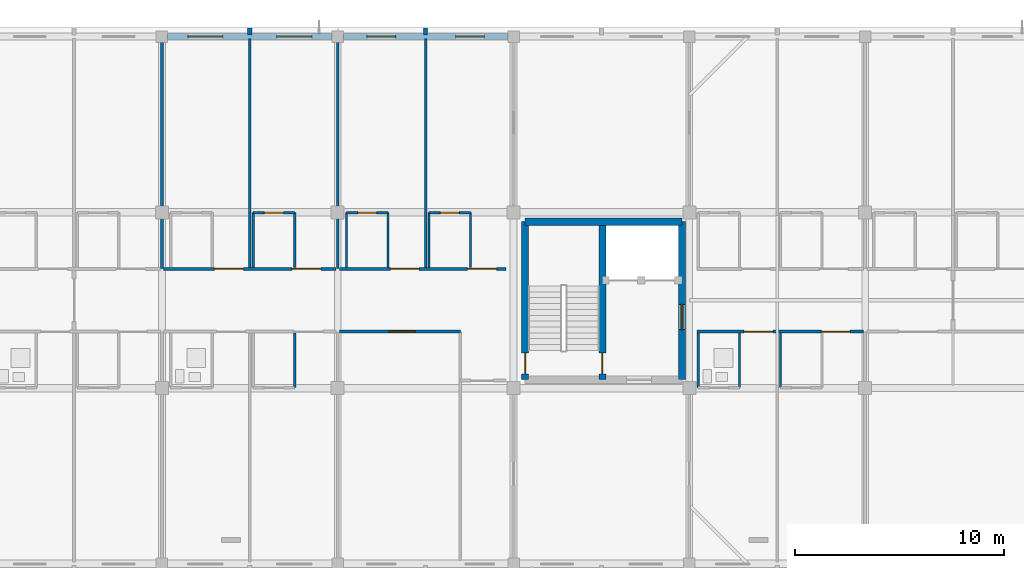
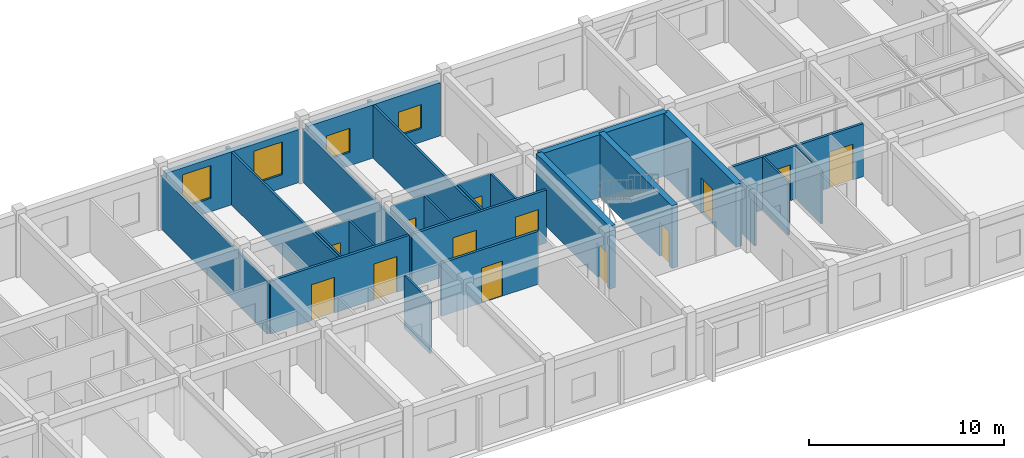
# One storey, part 10 of 21: 29 walls, 13 doors, 4 windows, 17 openings.
"""IFC4 building model written with IfcOpenShell, lengths in metres."""

from ifc_helpers import new_model, si_unit, direction, frame, frame_2d, origin, place, context, subcontext, project, spatial, rectangle, extrude, material, layer, layer_set, type_object, element, fill, save


model = new_model("IFC4")

# Units and contexts
model_context = context("Model", 3, precision=1e-05, world=origin(), true_north=direction((0.0, 1.0)))
body_context = subcontext(model_context, "Body", "Model", "MODEL_VIEW")
ifc_project = project(units=[si_unit("LENGTHUNIT", "METRE"), si_unit("AREAUNIT", "SQUARE_METRE"), si_unit("VOLUMEUNIT", "CUBIC_METRE"), si_unit("PLANEANGLEUNIT", "RADIAN"), si_unit("MASSUNIT", "GRAM", prefix="KILO")], contexts=[model_context])

# Site, building, storey
site_placement = place(None, origin())
site = spatial("IfcSite", under=ifc_project, at=site_placement, CompositionType="ELEMENT")
building_placement = place(site_placement, origin())
building = spatial("IfcBuilding", under=site, at=building_placement, Name="Trelvath General Hospital", CompositionType="ELEMENT")
storey_placement = place(building_placement, frame((0.0, 0.0, 28.800048828125)))
storey = spatial("IfcBuildingStorey", under=building, at=storey_placement, Name="L07", CompositionType="ELEMENT", Elevation=28.800048828125)

# Walls
ifc_material_1 = material(Name="Precast concrete C40/50", Category="concrete")
ifc_layer_1 = layer(ifc_material_1, 0.199951171875)
ifc_layer_set_1 = layer_set([ifc_layer_1], Name="Precast concrete C40/50")
wall_type_1 = type_object("IfcWallType", Name="BriseSoleilRib 200", PredefinedType="ELEMENTEDWALL", material=ifc_layer_set_1)
for number, where, z_axis, x_axis, name in (
    (1, (71.39990234375, 117.675048828125, 0.0), (0.0, 0.0, 1.0), (0.0, 1.0, 0.0), "Precast Concrete Brise-Soleil Rib Fin L07-471"),
    (2, (79.800048828125, 117.675048828125, 0.0), (0.0, 0.0, 1.0), (0.0, 1.0, 0.0), "Precast Concrete Brise-Soleil Rib Fin L07-473"),
):
    element("IfcWall", number, at=place(storey_placement, frame(where, z_axis=z_axis, x_axis=x_axis)), inside=storey, type_object=wall_type_1, Name=name, PredefinedType="ELEMENTEDWALL", context=body_context, shape_type="SweptSolid", body=[
        extrude(rectangle(XDim=0.33984375, YDim=0.199951171875, at=frame_2d((0.169921875, 0.0))), origin(), (0.0, 0.0, 1.0), 3.320068359375),
    ])

# Wall, openings, doors
ifc_material_2 = material(Name="Gypsum acoustic steel-stud partition", Category="steel")
ifc_layer_2 = layer(ifc_material_2, 0.14990234375)
ifc_layer_set_2 = layer_set([ifc_layer_2], Name="Gypsum acoustic steel-stud partition")
wall_type_2 = type_object("IfcWallType", Name="ClinicalPartition 150", PredefinedType="PARTITIONING", material=ifc_layer_set_2)
wall_1_placement = place(storey_placement, frame((75.52001953125, 106.5, 0.0), z_axis=(0.0, 0.0, 1.0), x_axis=(-1.0, 0.0, 0.0)))
wall_1 = element("IfcWall", 3, at=wall_1_placement, inside=storey, type_object=wall_type_2, Name="Corridor Partition N L07-2384", PredefinedType="PARTITIONING", context=body_context, shape_type="SweptSolid", body=[
    extrude(rectangle(XDim=8.239990234375, YDim=0.14990234375, at=frame_2d((4.1201171875, 0.0))), origin(), (0.0, 0.0, 1.0), 3.320068359375),
])
opening_1_placement = place(wall_1_placement, frame((0.72998046875, 0.0, 0.0)))
opening_1 = element("IfcOpeningElement", 4, at=opening_1_placement, cuts=wall_1, Name="Opening D-7-1486", PredefinedType="OPENING", context=body_context, shape_type="SweptSolid", body=[
    extrude(rectangle(XDim=1.3798828125, YDim=2.25, at=frame_2d((0.68994140625, 1.125))), frame((0.0, 0.0849609375, 0.0), z_axis=(0.0, -1.0, 0.0), x_axis=(1.0, 0.0, 0.0)), (0.0, 0.0, 1.0), 0.169921875),
])
opening_2_placement = place(wall_1_placement, frame((4.429931640625, 0.0, 0.0)))
opening_2 = element("IfcOpeningElement", 5, at=opening_2_placement, cuts=wall_1, Name="Opening D-7-1487", PredefinedType="OPENING", context=body_context, shape_type="SweptSolid", body=[
    extrude(rectangle(XDim=1.3798828125, YDim=2.25, at=frame_2d((0.68994140625, 1.125))), frame((0.0, 0.0849609375, 0.0), z_axis=(0.0, -1.0, 0.0), x_axis=(1.0, 0.0, 0.0)), (0.0, 0.0, 1.0), 0.169921875),
])
ifc_material_3 = material(Name="Wheelchair rehab ward door")
door_type_1 = type_object("IfcDoorType", Name="Door PatientRehab 1380x2250", OperationType="NOTDEFINED", PredefinedType="DOOR", material=ifc_material_3)
door_1_placement = place(opening_1_placement, origin())
door_1 = element("IfcDoor", 6, at=door_1_placement, inside=storey, type_object=door_type_1, Name="Patient Room Door N L07-1486", OperationType="SINGLE_SWING_RIGHT", OverallHeight=2.25, OverallWidth=1.3798828125, PredefinedType="DOOR", context=body_context, shape_type="SweptSolid", body=[
    extrude(rectangle(XDim=1.3798828125, YDim=2.25, at=frame_2d((0.68994140625, 1.125))), frame((0.0, 0.02490234375, 0.0), z_axis=(0.0, -1.0, 0.0), x_axis=(1.0, 0.0, 0.0)), (0.0, 0.0, 1.0), 0.050048828125),
])
fill(opening_1, door_1)
door_2_placement = place(opening_2_placement, origin())
door_2 = element("IfcDoor", 7, at=door_2_placement, inside=storey, type_object=door_type_1, Name="Patient Room Door N L07-1487", OperationType="SINGLE_SWING_RIGHT", OverallHeight=2.25, OverallWidth=1.3798828125, PredefinedType="DOOR", context=body_context, shape_type="SweptSolid", body=[
    extrude(rectangle(XDim=1.3798828125, YDim=2.25, at=frame_2d((0.68994140625, 1.125))), frame((0.0, 0.02490234375, 0.0), z_axis=(0.0, -1.0, 0.0), x_axis=(1.0, 0.0, 0.0)), (0.0, 0.0, 1.0), 0.050048828125),
])
fill(opening_2, door_2)

# Wall, opening, door
wall_2_placement = place(storey_placement, frame((75.679931640625, 103.5, 0.0), z_axis=(0.0, 0.0, 1.0), x_axis=(1.0, 0.0, 0.0)))
wall_2 = element("IfcWall", 8, at=wall_2_placement, inside=storey, type_object=wall_type_2, Name="Nurse Station Partition L07-2394", PredefinedType="PARTITIONING", context=body_context, shape_type="SweptSolid", body=[
    extrude(rectangle(XDim=5.780029296875, YDim=0.14990234375, at=frame_2d((2.89013671875, 0.0))), origin(), (0.0, 0.0, 1.0), 3.320068359375),
])
opening_3_placement = place(wall_2_placement, frame((2.3798828125, 0.0, 0.0)))
opening_3 = element("IfcOpeningElement", 9, at=opening_3_placement, cuts=wall_2, Name="Opening D-7-1490", PredefinedType="OPENING", context=body_context, shape_type="SweptSolid", body=[
    extrude(rectangle(XDim=1.25, YDim=2.199951171875, at=frame_2d((0.625, 1.10009765625))), frame((0.0, 0.0849609375, 0.0), z_axis=(0.0, -1.0, 0.0), x_axis=(1.0, 0.0, 0.0)), (0.0, 0.0, 1.0), 0.169921875),
])
ifc_material_4 = material(Name="Acoustic hospital timber leaf", Category="wood")
door_type_2 = type_object("IfcDoorType", Name="Door Treatment 1250x2200", OperationType="NOTDEFINED", PredefinedType="DOOR", material=ifc_material_4)
door_3_placement = place(opening_3_placement, origin())
door_3 = element("IfcDoor", 10, at=door_3_placement, inside=storey, type_object=door_type_2, Name="Nurse Station Door L07-1490", OperationType="SINGLE_SWING_LEFT", OverallHeight=2.199951171875, OverallWidth=1.25, PredefinedType="DOOR", context=body_context, shape_type="SweptSolid", body=[
    extrude(rectangle(XDim=1.25, YDim=2.199951171875, at=frame_2d((0.625, 1.10009765625))), frame((0.0, 0.02490234375, 0.0), z_axis=(0.0, -1.0, 0.0), x_axis=(1.0, 0.0, 0.0)), (0.0, 0.0, 1.0), 0.050048828125),
])
fill(opening_3, door_3)

# Wall, openings, doors
wall_3_placement = place(storey_placement, frame((83.639892578125, 106.5, 0.0), z_axis=(0.0, 0.0, 1.0), x_axis=(-1.0, 0.0, 0.0)))
wall_3 = element("IfcWall", 11, at=wall_3_placement, inside=storey, type_object=wall_type_2, Name="Corridor Partition N L07-2397", PredefinedType="PARTITIONING", context=body_context, shape_type="SweptSolid", body=[
    extrude(rectangle(XDim=7.9599609375, YDim=0.14990234375, at=frame_2d((3.97998046875, 0.0))), origin(), (0.0, 0.0, 1.0), 3.320068359375),
])
opening_4_placement = place(wall_3_placement, frame((0.449951171875, 0.0, 0.0)))
opening_4 = element("IfcOpeningElement", 12, at=opening_4_placement, cuts=wall_3, Name="Opening D-7-1492", PredefinedType="OPENING", context=body_context, shape_type="SweptSolid", body=[
    extrude(rectangle(XDim=1.3798828125, YDim=2.25, at=frame_2d((0.68994140625, 1.125))), frame((0.0, 0.0849609375, 0.0), z_axis=(0.0, -1.0, 0.0), x_axis=(1.0, 0.0, 0.0)), (0.0, 0.0, 1.0), 0.169921875),
])
opening_5_placement = place(wall_3_placement, frame((4.14990234375, 0.0, 0.0)))
opening_5 = element("IfcOpeningElement", 13, at=opening_5_placement, cuts=wall_3, Name="Opening D-7-1493", PredefinedType="OPENING", context=body_context, shape_type="SweptSolid", body=[
    extrude(rectangle(XDim=1.3798828125, YDim=2.25, at=frame_2d((0.68994140625, 1.125))), frame((0.0, 0.0849609375, 0.0), z_axis=(0.0, -1.0, 0.0), x_axis=(1.0, 0.0, 0.0)), (0.0, 0.0, 1.0), 0.169921875),
])
door_4_placement = place(opening_4_placement, origin())
door_4 = element("IfcDoor", 14, at=door_4_placement, inside=storey, type_object=door_type_1, Name="Patient Room Door N L07-1492", OperationType="SINGLE_SWING_LEFT", OverallHeight=2.25, OverallWidth=1.3798828125, PredefinedType="DOOR", context=body_context, shape_type="SweptSolid", body=[
    extrude(rectangle(XDim=1.3798828125, YDim=2.25, at=frame_2d((0.68994140625, 1.125))), frame((0.0, 0.02490234375, 0.0), z_axis=(0.0, -1.0, 0.0), x_axis=(1.0, 0.0, 0.0)), (0.0, 0.0, 1.0), 0.050048828125),
])
fill(opening_4, door_4)
door_5_placement = place(opening_5_placement, origin())
door_5 = element("IfcDoor", 15, at=door_5_placement, inside=storey, type_object=door_type_1, Name="Patient Room Door N L07-1493", OperationType="SINGLE_SWING_LEFT", OverallHeight=2.25, OverallWidth=1.3798828125, PredefinedType="DOOR", context=body_context, shape_type="SweptSolid", body=[
    extrude(rectangle(XDim=1.3798828125, YDim=2.25, at=frame_2d((0.68994140625, 1.125))), frame((0.0, 0.02490234375, 0.0), z_axis=(0.0, -1.0, 0.0), x_axis=(1.0, 0.0, 0.0)), (0.0, 0.0, 1.0), 0.050048828125),
])
fill(opening_5, door_5)

wall_4_placement = place(storey_placement, frame((92.760009765625, 103.5, 0.0), z_axis=(0.0, 0.0, 1.0), x_axis=(1.0, 0.0, 0.0)))
wall_4 = element("IfcWall", 16, at=wall_4_placement, inside=storey, type_object=wall_type_2, Name="Corridor Partition L07-2409", PredefinedType="PARTITIONING", context=body_context, shape_type="SweptSolid", body=[
    extrude(rectangle(XDim=7.9599609375, YDim=0.14990234375, at=frame_2d((3.97998046875, 0.0))), origin(), (0.0, 0.0, 1.0), 3.320068359375),
])
opening_6_placement = place(wall_4_placement, frame((2.25, 0.0, 0.0)))
opening_6 = element("IfcOpeningElement", 17, at=opening_6_placement, cuts=wall_4, Name="Opening D-7-1500", PredefinedType="OPENING", context=body_context, shape_type="SweptSolid", body=[
    extrude(rectangle(XDim=1.3798828125, YDim=2.25, at=frame_2d((0.68994140625, 1.125))), frame((0.0, 0.0849609375, 0.0), z_axis=(0.0, -1.0, 0.0), x_axis=(1.0, 0.0, 0.0)), (0.0, 0.0, 1.0), 0.169921875),
])
opening_7_placement = place(wall_4_placement, frame((5.949951171875, 0.0, 0.0)))
opening_7 = element("IfcOpeningElement", 18, at=opening_7_placement, cuts=wall_4, Name="Opening D-7-1501", PredefinedType="OPENING", context=body_context, shape_type="SweptSolid", body=[
    extrude(rectangle(XDim=1.3798828125, YDim=2.25, at=frame_2d((0.68994140625, 1.125))), frame((0.0, 0.0849609375, 0.0), z_axis=(0.0, -1.0, 0.0), x_axis=(1.0, 0.0, 0.0)), (0.0, 0.0, 1.0), 0.169921875),
])
door_6_placement = place(opening_6_placement, origin())
door_6 = element("IfcDoor", 19, at=door_6_placement, inside=storey, type_object=door_type_1, Name="Patient Room Door L07-1500", OperationType="SINGLE_SWING_RIGHT", OverallHeight=2.25, OverallWidth=1.3798828125, PredefinedType="DOOR", context=body_context, shape_type="SweptSolid", body=[
    extrude(rectangle(XDim=1.3798828125, YDim=2.25, at=frame_2d((0.68994140625, 1.125))), frame((0.0, 0.02490234375, 0.0), z_axis=(0.0, -1.0, 0.0), x_axis=(1.0, 0.0, 0.0)), (0.0, 0.0, 1.0), 0.050048828125),
])
fill(opening_6, door_6)
door_7_placement = place(opening_7_placement, origin())
door_7 = element("IfcDoor", 20, at=door_7_placement, inside=storey, type_object=door_type_1, Name="Patient Room Door L07-1501", OperationType="SINGLE_SWING_LEFT", OverallHeight=2.25, OverallWidth=1.3798828125, PredefinedType="DOOR", context=body_context, shape_type="SweptSolid", body=[
    extrude(rectangle(XDim=1.3798828125, YDim=2.25, at=frame_2d((0.68994140625, 1.125))), frame((0.0, 0.02490234375, 0.0), z_axis=(0.0, -1.0, 0.0), x_axis=(1.0, 0.0, 0.0)), (0.0, 0.0, 1.0), 0.050048828125),
])
fill(opening_7, door_7)

# Wall
ifc_material_5 = material(Name="Concrete C40/50", Category="concrete")
ifc_layer_3 = layer(ifc_material_5, 0.35009765625)
ifc_layer_set_3 = layer_set([ifc_layer_3], Name="Concrete C40/50")
wall_type_3 = type_object("IfcWallType", Name="CoreShearWall 350", PredefinedType="SHEAR", material=ifc_layer_set_3)
wall_5_placement = place(storey_placement, frame((84.550048828125, 108.75, 0.0), z_axis=(0.0, 0.0, 1.0), x_axis=(1.0, 0.0, 0.0)))
element("IfcWall", 21, at=wall_5_placement, inside=storey, type_object=wall_type_3, Name="Core Shear Wall C2 N L07", PredefinedType="SHEAR", context=body_context, shape_type="SweptSolid", body=[
    extrude(rectangle(XDim=7.5, YDim=0.35009765625, at=frame_2d((3.75, 0.0))), origin(), (0.0, 0.0, 1.0), 3.93994140625),
])

# Wall, opening, door
wall_6_placement = place(storey_placement, frame((84.550048828125, 101.199951171875, 0.0), z_axis=(0.0, 0.0, 1.0), x_axis=(0.0, 1.0, 0.0)))
wall_6 = element("IfcWall", 22, at=wall_6_placement, inside=storey, type_object=wall_type_3, Name="Core Shear Wall C2 W L07", PredefinedType="SHEAR", context=body_context, shape_type="SweptSolid", body=[
    extrude(rectangle(XDim=7.550048828125, YDim=0.35009765625, at=frame_2d((3.77490234375, 0.0))), origin(), (0.0, 0.0, 1.0), 3.93994140625),
])
opening_8_placement = place(wall_6_placement, frame((0.280029296875, 0.0, 0.0)))
opening_8 = element("IfcOpeningElement", 23, at=opening_8_placement, cuts=wall_6, Name="Opening FD-SW27", PredefinedType="OPENING", context=body_context, shape_type="SweptSolid", body=[
    extrude(rectangle(XDim=1.0, YDim=2.14990234375, at=frame_2d((0.5, 1.074951171875))), frame((0.0, 0.18505859375, 0.0), z_axis=(0.0, -1.0, 0.0), x_axis=(1.0, 0.0, 0.0)), (0.0, 0.0, 1.0), 0.3701171875),
])
ifc_material_6 = material(Name="Fire-rated steel door", Category="steel")
door_type_3 = type_object("IfcDoorType", Name="Door FireStair 1100x2150", OperationType="NOTDEFINED", PredefinedType="DOOR", material=ifc_material_6)
door_8_placement = place(opening_8_placement, origin())
door_8 = element("IfcDoor", 24, at=door_8_placement, inside=storey, type_object=door_type_3, Name="West Corridor Stair Door ST2 L07", OperationType="SINGLE_SWING_LEFT", OverallHeight=2.14990234375, OverallWidth=1.0, PredefinedType="DOOR", context=body_context, shape_type="SweptSolid", body=[
    extrude(rectangle(XDim=1.0, YDim=2.14990234375, at=frame_2d((0.5, 1.074951171875))), frame((0.0, 0.02490234375, 0.0), z_axis=(0.0, -1.0, 0.0), x_axis=(1.0, 0.0, 0.0)), (0.0, 0.0, 1.0), 0.050048828125),
])
fill(opening_8, door_8)

wall_7_placement = place(storey_placement, frame((92.050048828125, 101.199951171875, 0.0), z_axis=(0.0, 0.0, 1.0), x_axis=(0.0, 1.0, 0.0)))
wall_7 = element("IfcWall", 25, at=wall_7_placement, inside=storey, type_object=wall_type_3, Name="Core Shear Wall C2 E L07", PredefinedType="SHEAR", context=body_context, shape_type="SweptSolid", body=[
    extrude(rectangle(XDim=7.550048828125, YDim=0.35009765625, at=frame_2d((3.77490234375, 0.0))), origin(), (0.0, 0.0, 1.0), 3.93994140625),
])
opening_9_placement = place(wall_7_placement, frame((2.39990234375, 0.0, 0.0)))
opening_9 = element("IfcOpeningElement", 26, at=opening_9_placement, cuts=wall_7, Name="Opening FD-LE27", PredefinedType="OPENING", context=body_context, shape_type="SweptSolid", body=[
    extrude(rectangle(XDim=1.199951171875, YDim=2.199951171875, at=frame_2d((0.60009765625, 1.10009765625))), frame((0.0, 0.18505859375, 0.0), z_axis=(0.0, -1.0, 0.0), x_axis=(1.0, 0.0, 0.0)), (0.0, 0.0, 1.0), 0.3701171875),
])
ifc_material_7 = material(Name="Fire-rated steel door", Category="steel")
door_type_4 = type_object("IfcDoorType", Name="Door FireLobby 1200x2200", OperationType="NOTDEFINED", PredefinedType="DOOR", material=ifc_material_7)
door_9_placement = place(opening_9_placement, origin())
door_9 = element("IfcDoor", 27, at=door_9_placement, inside=storey, type_object=door_type_4, Name="Fire Lobby East Corridor Door C2 L07", OperationType="SINGLE_SWING_LEFT", OverallHeight=2.199951171875, OverallWidth=1.199951171875, PredefinedType="DOOR", context=body_context, shape_type="SweptSolid", body=[
    extrude(rectangle(XDim=1.199951171875, YDim=2.199951171875, at=frame_2d((0.60009765625, 1.10009765625))), frame((0.0, 0.02490234375, 0.0), z_axis=(0.0, -1.0, 0.0), x_axis=(1.0, 0.0, 0.0)), (0.0, 0.0, 1.0), 0.050048828125),
])
fill(opening_9, door_9)

wall_8_placement = place(storey_placement, frame((88.25, 101.199951171875, 0.0), z_axis=(0.0, 0.0, 1.0), x_axis=(0.0, 1.0, 0.0)))
wall_8 = element("IfcWall", 28, at=wall_8_placement, inside=storey, type_object=wall_type_3, Name="Core Shear Wall C2 SPINE L07", PredefinedType="SHEAR", context=body_context, shape_type="SweptSolid", body=[
    extrude(rectangle(XDim=7.550048828125, YDim=0.35009765625, at=frame_2d((3.77490234375, 0.0))), origin(), (0.0, 0.0, 1.0), 3.93994140625),
])
opening_10_placement = place(wall_8_placement, frame((0.280029296875, 0.0, 0.0)))
opening_10 = element("IfcOpeningElement", 29, at=opening_10_placement, cuts=wall_8, Name="Opening FD-S27", PredefinedType="OPENING", context=body_context, shape_type="SweptSolid", body=[
    extrude(rectangle(XDim=1.0, YDim=2.14990234375, at=frame_2d((0.5, 1.074951171875))), frame((0.0, 0.18505859375, 0.0), z_axis=(0.0, -1.0, 0.0), x_axis=(1.0, 0.0, 0.0)), (0.0, 0.0, 1.0), 0.3701171875),
])
door_10_placement = place(opening_10_placement, origin())
door_10 = element("IfcDoor", 30, at=door_10_placement, inside=storey, type_object=door_type_3, Name="Exit Stair Door ST2 L07", OperationType="SINGLE_SWING_RIGHT", OverallHeight=2.14990234375, OverallWidth=1.0, PredefinedType="DOOR", context=body_context, shape_type="SweptSolid", body=[
    extrude(rectangle(XDim=1.0, YDim=2.14990234375, at=frame_2d((0.5, 1.074951171875))), frame((0.0, 0.02490234375, 0.0), z_axis=(0.0, -1.0, 0.0), x_axis=(1.0, 0.0, 0.0)), (0.0, 0.0, 1.0), 0.050048828125),
])
fill(opening_10, door_10)

# Walls
ifc_material_8 = material(Name="Moisture-resistant tile partition")
ifc_layer_4 = layer(ifc_material_8, 0.110107421875)
ifc_layer_set_4 = layer_set([ifc_layer_4], Name="Moisture-resistant tile partition")
wall_type_4 = type_object("IfcWallType", Name="EnSuiteWetWall 110", PredefinedType="PARTITIONING", material=ifc_layer_set_4)
for number, where, z_axis, x_axis, name in (
    (31, (73.5400390625, 100.820068359375, 0.0), (0.0, 0.0, 1.0), (0.0, 1.0, 0.0), "En-Suite E Wall L07-2381"),
    (32, (71.56005859375, 106.570068359375, 0.0), (0.0, 0.0, 1.0), (0.0, 1.0, 0.0), "En-Suite W Wall N L07-2389"),
    (33, (73.5400390625, 106.570068359375, 0.0), (0.0, 0.0, 1.0), (0.0, 1.0, 0.0), "En-Suite E Wall N L07-2390"),
):
    element("IfcWall", number, at=place(storey_placement, frame(where, z_axis=z_axis, x_axis=x_axis)), inside=storey, type_object=wall_type_4, Name=name, PredefinedType="PARTITIONING", context=body_context, shape_type="SweptSolid", body=[
        extrude(rectangle(XDim=2.60986328125, YDim=0.110107421875, at=frame_2d((1.304931640625, 0.0))), origin(), (0.0, 0.0, 1.0), 3.320068359375),
    ])

# Wall, opening, door
wall_9_placement = place(storey_placement, frame((71.56005859375, 109.179931640625, 0.0), z_axis=(0.0, 0.0, 1.0), x_axis=(1.0, 0.0, 0.0)))
wall_9 = element("IfcWall", 34, at=wall_9_placement, inside=storey, type_object=wall_type_4, Name="En-Suite Bathroom N Partition L07-2391", PredefinedType="PARTITIONING", context=body_context, shape_type="SweptSolid", body=[
    extrude(rectangle(XDim=1.97998046875, YDim=0.110107421875, at=frame_2d((0.989990234375, 0.0))), origin(), (0.0, 0.0, 1.0), 3.320068359375),
])
opening_11_placement = place(wall_9_placement, frame((0.5400390625, 0.0, 0.0)))
opening_11 = element("IfcOpeningElement", 35, at=opening_11_placement, cuts=wall_9, Name="Opening D-7-1489", PredefinedType="OPENING", context=body_context, shape_type="SweptSolid", body=[
    extrude(rectangle(XDim=0.89990234375, YDim=2.10009765625, at=frame_2d((0.449951171875, 1.050048828125))), frame((0.0, 0.06494140625, 0.0), z_axis=(0.0, -1.0, 0.0), x_axis=(1.0, 0.0, 0.0)), (0.0, 0.0, 1.0), 0.130126953125),
])
ifc_material_9 = material(Name="Moisture-sealed timber leaf", Category="wood")
door_type_5 = type_object("IfcDoorType", Name="Door EnSuite 900x2100", OperationType="NOTDEFINED", PredefinedType="DOOR", material=ifc_material_9)
door_11_placement = place(opening_11_placement, origin())
door_11 = element("IfcDoor", 36, at=door_11_placement, inside=storey, type_object=door_type_5, Name="En-Suite Bathroom N Door L07-1489", OperationType="SINGLE_SWING_RIGHT", OverallHeight=2.10009765625, OverallWidth=0.89990234375, PredefinedType="DOOR", context=body_context, shape_type="SweptSolid", body=[
    extrude(rectangle(XDim=0.89990234375, YDim=2.10009765625, at=frame_2d((0.449951171875, 1.050048828125))), frame((0.0, 0.02490234375, 0.0), z_axis=(0.0, -1.0, 0.0), x_axis=(1.0, 0.0, 0.0)), (0.0, 0.0, 1.0), 0.050048828125),
])
fill(opening_11, door_11)

# Walls
for number, where, z_axis, x_axis, name in (
    (37, (76.02001953125, 106.570068359375, 0.0), (0.0, 0.0, 1.0), (0.0, 1.0, 0.0), "En-Suite W Wall N L07-2399"),
    (38, (78.0, 106.570068359375, 0.0), (0.0, 0.0, 1.0), (0.0, 1.0, 0.0), "En-Suite E Wall N L07-2400"),
):
    element("IfcWall", number, at=place(storey_placement, frame(where, z_axis=z_axis, x_axis=x_axis)), inside=storey, type_object=wall_type_4, Name=name, PredefinedType="PARTITIONING", context=body_context, shape_type="SweptSolid", body=[
        extrude(rectangle(XDim=2.60986328125, YDim=0.110107421875, at=frame_2d((1.304931640625, 0.0))), origin(), (0.0, 0.0, 1.0), 3.320068359375),
    ])

# Wall, opening, door
wall_10_placement = place(storey_placement, frame((76.02001953125, 109.179931640625, 0.0), z_axis=(0.0, 0.0, 1.0), x_axis=(1.0, 0.0, 0.0)))
wall_10 = element("IfcWall", 39, at=wall_10_placement, inside=storey, type_object=wall_type_4, Name="En-Suite Bathroom N Partition L07-2401", PredefinedType="PARTITIONING", context=body_context, shape_type="SweptSolid", body=[
    extrude(rectangle(XDim=1.97998046875, YDim=0.110107421875, at=frame_2d((0.989990234375, 0.0))), origin(), (0.0, 0.0, 1.0), 3.320068359375),
])
opening_12_placement = place(wall_10_placement, frame((0.5400390625, 0.0, 0.0)))
opening_12 = element("IfcOpeningElement", 40, at=opening_12_placement, cuts=wall_10, Name="Opening D-7-1494", PredefinedType="OPENING", context=body_context, shape_type="SweptSolid", body=[
    extrude(rectangle(XDim=0.89990234375, YDim=2.10009765625, at=frame_2d((0.449951171875, 1.050048828125))), frame((0.0, 0.06494140625, 0.0), z_axis=(0.0, -1.0, 0.0), x_axis=(1.0, 0.0, 0.0)), (0.0, 0.0, 1.0), 0.130126953125),
])
door_12_placement = place(opening_12_placement, origin())
door_12 = element("IfcDoor", 41, at=door_12_placement, inside=storey, type_object=door_type_5, Name="En-Suite Bathroom N Door L07-1494", OperationType="SINGLE_SWING_RIGHT", OverallHeight=2.10009765625, OverallWidth=0.89990234375, PredefinedType="DOOR", context=body_context, shape_type="SweptSolid", body=[
    extrude(rectangle(XDim=0.89990234375, YDim=2.10009765625, at=frame_2d((0.449951171875, 1.050048828125))), frame((0.0, 0.02490234375, 0.0), z_axis=(0.0, -1.0, 0.0), x_axis=(1.0, 0.0, 0.0)), (0.0, 0.0, 1.0), 0.050048828125),
])
fill(opening_12, door_12)

# Walls
for number, where, z_axis, x_axis, name in (
    (42, (79.9599609375, 106.570068359375, 0.0), (0.0, 0.0, 1.0), (0.0, 1.0, 0.0), "En-Suite W Wall N L07-2402"),
    (43, (81.93994140625, 106.570068359375, 0.0), (0.0, 0.0, 1.0), (0.0, 1.0, 0.0), "En-Suite E Wall N L07-2403"),
):
    element("IfcWall", number, at=place(storey_placement, frame(where, z_axis=z_axis, x_axis=x_axis)), inside=storey, type_object=wall_type_4, Name=name, PredefinedType="PARTITIONING", context=body_context, shape_type="SweptSolid", body=[
        extrude(rectangle(XDim=2.60986328125, YDim=0.110107421875, at=frame_2d((1.304931640625, 0.0))), origin(), (0.0, 0.0, 1.0), 3.320068359375),
    ])

# Wall, opening, door
wall_11_placement = place(storey_placement, frame((79.9599609375, 109.179931640625, 0.0), z_axis=(0.0, 0.0, 1.0), x_axis=(1.0, 0.0, 0.0)))
wall_11 = element("IfcWall", 44, at=wall_11_placement, inside=storey, type_object=wall_type_4, Name="En-Suite Bathroom N Partition L07-2404", PredefinedType="PARTITIONING", context=body_context, shape_type="SweptSolid", body=[
    extrude(rectangle(XDim=1.97998046875, YDim=0.110107421875, at=frame_2d((0.989990234375, 0.0))), origin(), (0.0, 0.0, 1.0), 3.320068359375),
])
opening_13_placement = place(wall_11_placement, frame((0.5400390625, 0.0, 0.0)))
opening_13 = element("IfcOpeningElement", 45, at=opening_13_placement, cuts=wall_11, Name="Opening D-7-1495", PredefinedType="OPENING", context=body_context, shape_type="SweptSolid", body=[
    extrude(rectangle(XDim=0.89990234375, YDim=2.10009765625, at=frame_2d((0.449951171875, 1.050048828125))), frame((0.0, 0.06494140625, 0.0), z_axis=(0.0, -1.0, 0.0), x_axis=(1.0, 0.0, 0.0)), (0.0, 0.0, 1.0), 0.130126953125),
])
door_13_placement = place(opening_13_placement, origin())
door_13 = element("IfcDoor", 46, at=door_13_placement, inside=storey, type_object=door_type_5, Name="En-Suite Bathroom N Door L07-1495", OperationType="SINGLE_SWING_LEFT", OverallHeight=2.10009765625, OverallWidth=0.89990234375, PredefinedType="DOOR", context=body_context, shape_type="SweptSolid", body=[
    extrude(rectangle(XDim=0.89990234375, YDim=2.10009765625, at=frame_2d((0.449951171875, 1.050048828125))), frame((0.0, 0.02490234375, 0.0), z_axis=(0.0, -1.0, 0.0), x_axis=(1.0, 0.0, 0.0)), (0.0, 0.0, 1.0), 0.050048828125),
])
fill(opening_13, door_13)

# Walls
for number, where, z_axis, x_axis, name in (
    (47, (92.820068359375, 100.820068359375, 0.0), (0.0, 0.0, 1.0), (0.0, 1.0, 0.0), "En-Suite W Wall L07-2411"),
    (48, (94.800048828125, 100.820068359375, 0.0), (0.0, 0.0, 1.0), (0.0, 1.0, 0.0), "En-Suite E Wall L07-2412"),
    (49, (96.760009765625, 100.820068359375, 0.0), (0.0, 0.0, 1.0), (0.0, 1.0, 0.0), "En-Suite W Wall L07-2414"),
):
    element("IfcWall", number, at=place(storey_placement, frame(where, z_axis=z_axis, x_axis=x_axis)), inside=storey, type_object=wall_type_4, Name=name, PredefinedType="PARTITIONING", context=body_context, shape_type="SweptSolid", body=[
        extrude(rectangle(XDim=2.60986328125, YDim=0.110107421875, at=frame_2d((1.304931640625, 0.0))), origin(), (0.0, 0.0, 1.0), 3.320068359375),
    ])

# Wall, openings, windows
ifc_material_10 = material(Name="Concrete C35/45", Category="concrete")
ifc_layer_5 = layer(ifc_material_10, 0.2900390625)
ifc_layer_set_5 = layer_set([ifc_layer_5], Name="Concrete C35/45")
wall_type_5 = type_object("IfcWallType", Name="ExtBushHammeredWall 290", PredefinedType="SOLIDWALL", material=ifc_layer_set_5)
wall_12_placement = place(storey_placement, frame((67.469970703125, 117.60009765625, 0.0), z_axis=(0.0, 0.0, 1.0), x_axis=(1.0, 0.0, 0.0)))
wall_12 = element("IfcWall", 50, at=wall_12_placement, inside=storey, type_object=wall_type_5, Name="Exterior Concrete Wall L07-620", PredefinedType="SOLIDWALL", context=body_context, shape_type="SweptSolid", body=[
    extrude(rectangle(XDim=7.860107421875, YDim=0.2900390625, at=frame_2d((3.93017578125, 0.0))), origin(), (0.0, 0.0, 1.0), 3.33984375),
])
opening_14_placement = place(wall_12_placement, frame((0.9677734375, 0.0, 0.85009765625)))
opening_14 = element("IfcOpeningElement", 51, at=opening_14_placement, cuts=wall_12, Name="Opening WN-7-1047", PredefinedType="OPENING", context=body_context, shape_type="SweptSolid", body=[
    extrude(rectangle(XDim=1.679931640625, YDim=2.050048828125, at=frame_2d((0.83984375, 1.02490234375))), frame((0.0, 0.155029296875, 0.0), z_axis=(0.0, -1.0, 0.0), x_axis=(1.0, 0.0, 0.0)), (0.0, 0.0, 1.0), 0.31005859375),
])
opening_15_placement = place(wall_12_placement, frame((5.212158203125, 0.0, 0.85009765625)))
opening_15 = element("IfcOpeningElement", 52, at=opening_15_placement, cuts=wall_12, Name="Opening WN-7-1048", PredefinedType="OPENING", context=body_context, shape_type="SweptSolid", body=[
    extrude(rectangle(XDim=1.679931640625, YDim=2.050048828125, at=frame_2d((0.83984375, 1.02490234375))), frame((0.0, 0.155029296875, 0.0), z_axis=(0.0, -1.0, 0.0), x_axis=(1.0, 0.0, 0.0)), (0.0, 0.0, 1.0), 0.31005859375),
])
ifc_material_11 = material(Name="Low-E laminated glass", Category="glass")
window_type_1 = type_object("IfcWindowType", Name="Window Cafe 1680x2050", PartitioningType="DOUBLE_PANEL_VERTICAL", PredefinedType="WINDOW", material=ifc_material_11)
window_1_placement = place(opening_14_placement, origin())
window_1 = element("IfcWindow", 53, at=window_1_placement, inside=storey, type_object=window_type_1, Name="Solar Reveal Window L07-1047", OverallHeight=2.050048828125, OverallWidth=1.679931640625, PartitioningType="SINGLE_PANEL", PredefinedType="WINDOW", context=body_context, shape_type="SweptSolid", body=[
    extrude(rectangle(XDim=1.679931640625, YDim=2.050048828125, at=frame_2d((0.83984375, 1.02490234375))), frame((0.0, 0.030029296875, 0.0), z_axis=(0.0, -1.0, 0.0), x_axis=(1.0, 0.0, 0.0)), (0.0, 0.0, 1.0), 0.06005859375),
])
fill(opening_14, window_1)
window_2_placement = place(opening_15_placement, origin())
window_2 = element("IfcWindow", 54, at=window_2_placement, inside=storey, type_object=window_type_1, Name="Solar Reveal Window L07-1048", OverallHeight=2.050048828125, OverallWidth=1.679931640625, PartitioningType="SINGLE_PANEL", PredefinedType="WINDOW", context=body_context, shape_type="SweptSolid", body=[
    extrude(rectangle(XDim=1.679931640625, YDim=2.050048828125, at=frame_2d((0.83984375, 1.02490234375))), frame((0.0, 0.030029296875, 0.0), z_axis=(0.0, -1.0, 0.0), x_axis=(1.0, 0.0, 0.0)), (0.0, 0.0, 1.0), 0.06005859375),
])
fill(opening_15, window_2)

wall_13_placement = place(storey_placement, frame((75.8701171875, 117.60009765625, 0.0), z_axis=(0.0, 0.0, 1.0), x_axis=(1.0, 0.0, 0.0)))
wall_13 = element("IfcWall", 55, at=wall_13_placement, inside=storey, type_object=wall_type_5, Name="Exterior Concrete Wall L07-622", PredefinedType="SOLIDWALL", context=body_context, shape_type="SweptSolid", body=[
    extrude(rectangle(XDim=7.85986328125, YDim=0.2900390625, at=frame_2d((3.929931640625, 0.0))), origin(), (0.0, 0.0, 1.0), 3.33984375),
])
opening_16_placement = place(wall_13_placement, frame((1.117919921875, 0.0, 0.85009765625)))
opening_16 = element("IfcOpeningElement", 56, at=opening_16_placement, cuts=wall_13, Name="Opening WN-7-1051", PredefinedType="OPENING", context=body_context, shape_type="SweptSolid", body=[
    extrude(rectangle(XDim=1.3798828125, YDim=1.5, at=frame_2d((0.68994140625, 0.75))), frame((0.0, 0.155029296875, 0.0), z_axis=(0.0, -1.0, 0.0), x_axis=(1.0, 0.0, 0.0)), (0.0, 0.0, 1.0), 0.31005859375),
])
opening_17_placement = place(wall_13_placement, frame((5.3623046875, 0.0, 0.85009765625)))
opening_17 = element("IfcOpeningElement", 57, at=opening_17_placement, cuts=wall_13, Name="Opening WN-7-1052", PredefinedType="OPENING", context=body_context, shape_type="SweptSolid", body=[
    extrude(rectangle(XDim=1.3798828125, YDim=1.5, at=frame_2d((0.68994140625, 0.75))), frame((0.0, 0.155029296875, 0.0), z_axis=(0.0, -1.0, 0.0), x_axis=(1.0, 0.0, 0.0)), (0.0, 0.0, 1.0), 0.31005859375),
])
ifc_material_12 = material(Name="Low-E laminated glass", Category="glass")
window_type_2 = type_object("IfcWindowType", Name="Window Admin 1380x1500", PartitioningType="SINGLE_PANEL", PredefinedType="WINDOW", material=ifc_material_12)
window_3_placement = place(opening_16_placement, origin())
window_3 = element("IfcWindow", 58, at=window_3_placement, inside=storey, type_object=window_type_2, Name="Solar Reveal Window L07-1051", OverallHeight=1.5, OverallWidth=1.3798828125, PartitioningType="SINGLE_PANEL", PredefinedType="WINDOW", context=body_context, shape_type="SweptSolid", body=[
    extrude(rectangle(XDim=1.3798828125, YDim=1.5, at=frame_2d((0.68994140625, 0.75))), frame((0.0, 0.030029296875, 0.0), z_axis=(0.0, -1.0, 0.0), x_axis=(1.0, 0.0, 0.0)), (0.0, 0.0, 1.0), 0.06005859375),
])
fill(opening_16, window_3)
window_4_placement = place(opening_17_placement, origin())
window_4 = element("IfcWindow", 59, at=window_4_placement, inside=storey, type_object=window_type_2, Name="Solar Reveal Window L07-1052", OverallHeight=1.5, OverallWidth=1.3798828125, PartitioningType="SINGLE_PANEL", PredefinedType="WINDOW", context=body_context, shape_type="SweptSolid", body=[
    extrude(rectangle(XDim=1.3798828125, YDim=1.5, at=frame_2d((0.68994140625, 0.75))), frame((0.0, 0.030029296875, 0.0), z_axis=(0.0, -1.0, 0.0), x_axis=(1.0, 0.0, 0.0)), (0.0, 0.0, 1.0), 0.06005859375),
])
fill(opening_17, window_4)

# Walls
ifc_material_13 = material(Name="Gypsum acoustic steel-stud partition", Category="steel")
ifc_layer_6 = layer(ifc_material_13, 0.1298828125)
ifc_layer_set_6 = layer_set([ifc_layer_6], Name="Gypsum acoustic steel-stud partition")
wall_type_6 = type_object("IfcWallType", Name="WardPartition 130", PredefinedType="PARTITIONING", material=ifc_layer_set_6)
wall_14_placement = place(storey_placement, frame((67.199951171875, 106.52001953125, 0.0), z_axis=(0.0, 0.0, 1.0), x_axis=(0.0, 1.0, 0.0)))
element("IfcWall", 60, at=wall_14_placement, inside=storey, type_object=wall_type_6, Name="Inter-Bay Ward Partition N L07-2374", PredefinedType="PARTITIONING", context=body_context, shape_type="SweptSolid", body=[
    extrude(rectangle(XDim=10.93994140625, YDim=0.1298828125, at=frame_2d((5.469970703125, 0.0))), origin(), (0.0, 0.0, 1.0), 3.320068359375),
])
wall_15_placement = place(storey_placement, frame((71.39990234375, 106.570068359375, 0.0), z_axis=(0.0, 0.0, 1.0), x_axis=(0.0, 1.0, 0.0)))
element("IfcWall", 61, at=wall_15_placement, inside=storey, type_object=wall_type_6, Name="Room Dividing Partition N L07-2385", PredefinedType="PARTITIONING", context=body_context, shape_type="SweptSolid", body=[
    extrude(rectangle(XDim=10.929931640625, YDim=0.1298828125, at=frame_2d((5.46484375, 0.0))), origin(), (0.0, 0.0, 1.0), 3.320068359375),
])
wall_16_placement = place(storey_placement, frame((75.60009765625, 106.52001953125, 0.0), z_axis=(0.0, 0.0, 1.0), x_axis=(0.0, 1.0, 0.0)))
element("IfcWall", 62, at=wall_16_placement, inside=storey, type_object=wall_type_6, Name="Inter-Bay Ward Partition N L07-2393", PredefinedType="PARTITIONING", context=body_context, shape_type="SweptSolid", body=[
    extrude(rectangle(XDim=10.93994140625, YDim=0.1298828125, at=frame_2d((5.469970703125, 0.0))), origin(), (0.0, 0.0, 1.0), 3.320068359375),
])
wall_17_placement = place(storey_placement, frame((79.800048828125, 106.570068359375, 0.0), z_axis=(0.0, 0.0, 1.0), x_axis=(0.0, 1.0, 0.0)))
element("IfcWall", 63, at=wall_17_placement, inside=storey, type_object=wall_type_6, Name="Room Dividing Partition N L07-2398", PredefinedType="PARTITIONING", context=body_context, shape_type="SweptSolid", body=[
    extrude(rectangle(XDim=10.929931640625, YDim=0.1298828125, at=frame_2d((5.46484375, 0.0))), origin(), (0.0, 0.0, 1.0), 3.320068359375),
])

save(model, "model.ifc")
